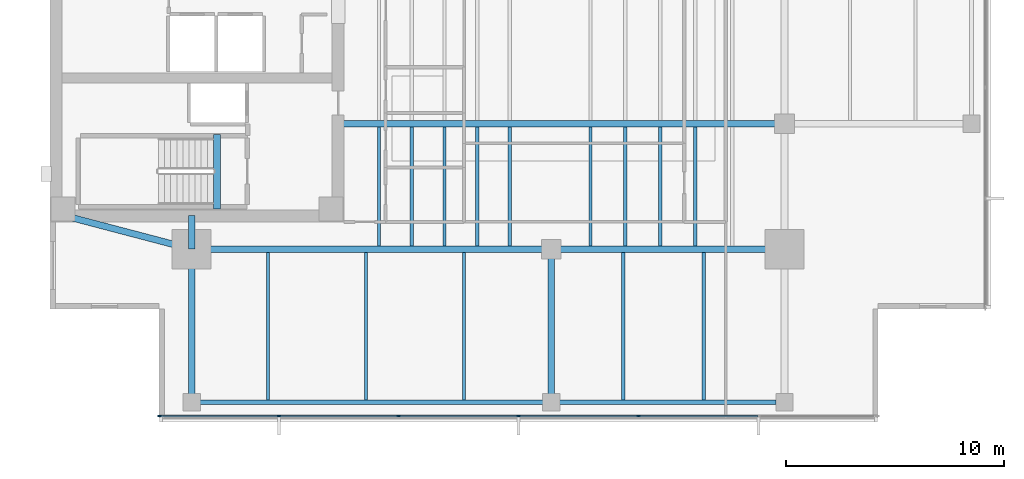
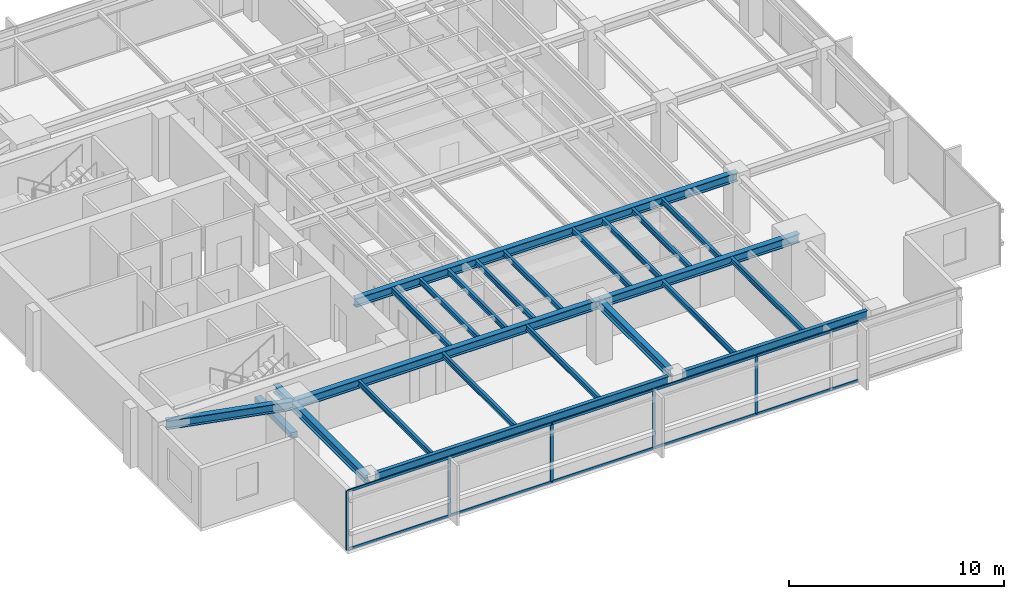
# One storey, part 2 of 14: 24 beams, 15 members, 1 element without a shape of its own.
"""IFC4 building model written with IfcOpenShell, lengths in metres."""

from ifc_helpers import new_model, si_unit, direction, frame, origin, origin_2d, place, context, subcontext, project, spatial, rectangle, i_section, extrude, material, layer, layer_set, material_profile, profile_set, type_object, element, aggregate, save


model = new_model("IFC4")

# Units and contexts
model_context = context("Model", 3, precision=1e-05, world=origin(), true_north=direction((0.0, 1.0)))
body_context = subcontext(model_context, "Body", "Model", "MODEL_VIEW")
ifc_project = project(units=[si_unit("LENGTHUNIT", "METRE"), si_unit("AREAUNIT", "SQUARE_METRE"), si_unit("VOLUMEUNIT", "CUBIC_METRE"), si_unit("PLANEANGLEUNIT", "RADIAN"), si_unit("MASSUNIT", "GRAM", prefix="KILO")], contexts=[model_context])

# Site, building, storey
site_placement = place(None, origin())
site = spatial("IfcSite", under=ifc_project, at=site_placement, CompositionType="ELEMENT")
building_placement = place(site_placement, origin())
building = spatial("IfcBuilding", under=site, at=building_placement, Name="Kinhvarn Gate Tower", CompositionType="ELEMENT")
storey_placement = place(building_placement, frame((0.0, 0.0, 234.199951171875)))
storey = spatial("IfcBuildingStorey", under=building, at=storey_placement, Name="L62", CompositionType="ELEMENT", Elevation=234.199951171875)

# Beam
ifc_material_1 = material(Name="Concrete C50/60", Category="concrete")
ifc_material_profile_1 = material_profile(ifc_material_1, rectangle(XDim=0.340087890625, YDim=0.320068359375, at=origin_2d()), Name="RC 340x320")
ifc_profile_set_1 = profile_set([ifc_material_profile_1], Name="Concrete C50/60")
beam_type_1 = type_object("IfcBeamType", Name="BM-LND-500", PredefinedType="BEAM", material=ifc_profile_set_1)
beam_1_placement = place(storey_placement, frame((12.1650390625, 14.60009765625, -0.159912109375), z_axis=(0.0, 1.0, 0.0), x_axis=(-1.0, 0.0, 0.0)))
element("IfcBeam", 1, at=beam_1_placement, inside=storey, type_object=beam_type_1, Name="Stair ST1 Landing Nosing Beam (L62)", PredefinedType="BEAM", context=body_context, shape_type="SweptSolid", body=[
    extrude(rectangle(XDim=0.340087890625, YDim=0.320068359375, at=origin_2d()), origin(), (0.0, 0.0, 1.0), 3.39990234375),
])

# Curtain wall, members
ifc_material_2 = material(Name="Anodised aluminium AW-6063", Category="aluminium")
ifc_layer = layer(ifc_material_2, 0.179931640625)
ifc_layer_set = layer_set([ifc_layer], Name="Anodised aluminium AW-6063")
curtain_wall_type = type_object("IfcCurtainWallType", Name="CW-SYS-3", PredefinedType="NOTDEFINED", material=ifc_layer_set)
curtain_wall_placement = place(storey_placement, origin())
curtain_wall = element("IfcCurtainWall", 2, at=curtain_wall_placement, inside=storey, type_object=curtain_wall_type, Name="Curtain Wall CW3 (L62)", PredefinedType="NOTDEFINED")
ifc_material_profile_2 = material_profile(ifc_material_2, rectangle(XDim=0.06494140625, YDim=0.159912109375, at=origin_2d()), Name="ALU 65x160")
ifc_profile_set_2 = profile_set([ifc_material_profile_2], Name="Anodised aluminium AW-6063")
member_type_1 = type_object("IfcMemberType", Name="CW-MUL-160", PredefinedType="MULLION", material=ifc_profile_set_2)
member_1_placement = place(storey_placement, frame((9.532470703125, 5.090087890625, 0.0), z_axis=(0.0, 0.0, 1.0), x_axis=(0.0, 1.0, 0.0)))
member_1 = element("IfcMember", 3, at=member_1_placement, type_object=member_type_1, Name="CW3 mullion 1", PredefinedType="MULLION", context=body_context, shape_type="SweptSolid", body=[
    extrude(rectangle(XDim=0.06494140625, YDim=0.159912109375, at=origin_2d()), origin(), (0.0, 0.0, 1.0), 3.3701171875),
])
member_2_placement = place(storey_placement, frame((15.0, 5.090087890625, 0.0), z_axis=(0.0, 0.0, 1.0), x_axis=(0.0, 1.0, 0.0)))
member_2 = element("IfcMember", 4, at=member_2_placement, type_object=member_type_1, Name="CW3 mullion 2", PredefinedType="MULLION", context=body_context, shape_type="SweptSolid", body=[
    extrude(rectangle(XDim=0.06494140625, YDim=0.159912109375, at=origin_2d()), origin(), (0.0, 0.0, 1.0), 3.3701171875),
])
member_3_placement = place(storey_placement, frame((20.5, 5.090087890625, 0.0), z_axis=(0.0, 0.0, 1.0), x_axis=(0.0, 1.0, 0.0)))
member_3 = element("IfcMember", 5, at=member_3_placement, type_object=member_type_1, Name="CW3 mullion 3", PredefinedType="MULLION", context=body_context, shape_type="SweptSolid", body=[
    extrude(rectangle(XDim=0.06494140625, YDim=0.159912109375, at=origin_2d()), origin(), (0.0, 0.0, 1.0), 3.3701171875),
])
member_4_placement = place(storey_placement, frame((26.0, 5.090087890625, 0.0), z_axis=(0.0, 0.0, 1.0), x_axis=(0.0, 1.0, 0.0)))
member_4 = element("IfcMember", 6, at=member_4_placement, type_object=member_type_1, Name="CW3 mullion 4", PredefinedType="MULLION", context=body_context, shape_type="SweptSolid", body=[
    extrude(rectangle(XDim=0.06494140625, YDim=0.159912109375, at=origin_2d()), origin(), (0.0, 0.0, 1.0), 3.3701171875),
])
member_5_placement = place(storey_placement, frame((31.5, 5.090087890625, 0.0), z_axis=(0.0, 0.0, 1.0), x_axis=(0.0, 1.0, 0.0)))
member_5 = element("IfcMember", 7, at=member_5_placement, type_object=member_type_1, Name="CW3 mullion 5", PredefinedType="MULLION", context=body_context, shape_type="SweptSolid", body=[
    extrude(rectangle(XDim=0.06494140625, YDim=0.159912109375, at=origin_2d()), origin(), (0.0, 0.0, 1.0), 3.3701171875),
])
ifc_material_profile_3 = material_profile(ifc_material_2, rectangle(XDim=0.070068359375, YDim=0.139892578125, at=origin_2d()), Name="ALU 70x140")
ifc_profile_set_3 = profile_set([ifc_material_profile_3], Name="Anodised aluminium AW-6063")
member_type_2 = type_object("IfcMemberType", Name="CW-TRN-140", PredefinedType="USERDEFINED", material=ifc_profile_set_3)
member_6_placement = place(storey_placement, frame((9.56494140625, 5.090087890625, 0.03515625), z_axis=(1.0, 0.0, 0.0), x_axis=(0.0, 1.0, 0.0)))
member_6 = element("IfcMember", 8, at=member_6_placement, type_object=member_type_2, Name="CW3 transom 1.1", ObjectType="TRANSOM", PredefinedType="USERDEFINED", context=body_context, shape_type="SweptSolid", body=[
    extrude(rectangle(XDim=0.070068359375, YDim=0.139892578125, at=origin_2d()), origin(), (0.0, 0.0, 1.0), 5.402587890625),
])
member_7_placement = place(storey_placement, frame((9.56494140625, 5.090087890625, 3.3349609375), z_axis=(1.0, 0.0, 0.0), x_axis=(0.0, 1.0, 0.0)))
member_7 = element("IfcMember", 9, at=member_7_placement, type_object=member_type_2, Name="CW3 transom 1.2", ObjectType="TRANSOM", PredefinedType="USERDEFINED", context=body_context, shape_type="SweptSolid", body=[
    extrude(rectangle(XDim=0.070068359375, YDim=0.139892578125, at=origin_2d()), origin(), (0.0, 0.0, 1.0), 5.402587890625),
])
member_8_placement = place(storey_placement, frame((15.032470703125, 5.090087890625, 0.03515625), z_axis=(1.0, 0.0, 0.0), x_axis=(0.0, 1.0, 0.0)))
member_8 = element("IfcMember", 10, at=member_8_placement, type_object=member_type_2, Name="CW3 transom 2.1", ObjectType="TRANSOM", PredefinedType="USERDEFINED", context=body_context, shape_type="SweptSolid", body=[
    extrude(rectangle(XDim=0.070068359375, YDim=0.139892578125, at=origin_2d()), origin(), (0.0, 0.0, 1.0), 5.43505859375),
])
member_9_placement = place(storey_placement, frame((15.032470703125, 5.090087890625, 3.3349609375), z_axis=(1.0, 0.0, 0.0), x_axis=(0.0, 1.0, 0.0)))
member_9 = element("IfcMember", 11, at=member_9_placement, type_object=member_type_2, Name="CW3 transom 2.2", ObjectType="TRANSOM", PredefinedType="USERDEFINED", context=body_context, shape_type="SweptSolid", body=[
    extrude(rectangle(XDim=0.070068359375, YDim=0.139892578125, at=origin_2d()), origin(), (0.0, 0.0, 1.0), 5.43505859375),
])
member_10_placement = place(storey_placement, frame((20.532470703125, 5.090087890625, 0.03515625), z_axis=(1.0, 0.0, 0.0), x_axis=(0.0, 1.0, 0.0)))
member_10 = element("IfcMember", 12, at=member_10_placement, type_object=member_type_2, Name="CW3 transom 3.1", ObjectType="TRANSOM", PredefinedType="USERDEFINED", context=body_context, shape_type="SweptSolid", body=[
    extrude(rectangle(XDim=0.070068359375, YDim=0.139892578125, at=origin_2d()), origin(), (0.0, 0.0, 1.0), 5.43505859375),
])
member_11_placement = place(storey_placement, frame((20.532470703125, 5.090087890625, 3.3349609375), z_axis=(1.0, 0.0, 0.0), x_axis=(0.0, 1.0, 0.0)))
member_11 = element("IfcMember", 13, at=member_11_placement, type_object=member_type_2, Name="CW3 transom 3.2", ObjectType="TRANSOM", PredefinedType="USERDEFINED", context=body_context, shape_type="SweptSolid", body=[
    extrude(rectangle(XDim=0.070068359375, YDim=0.139892578125, at=origin_2d()), origin(), (0.0, 0.0, 1.0), 5.43505859375),
])
member_12_placement = place(storey_placement, frame((26.032470703125, 5.090087890625, 0.03515625), z_axis=(1.0, 0.0, 0.0), x_axis=(0.0, 1.0, 0.0)))
member_12 = element("IfcMember", 14, at=member_12_placement, type_object=member_type_2, Name="CW3 transom 4.1", ObjectType="TRANSOM", PredefinedType="USERDEFINED", context=body_context, shape_type="SweptSolid", body=[
    extrude(rectangle(XDim=0.070068359375, YDim=0.139892578125, at=origin_2d()), origin(), (0.0, 0.0, 1.0), 5.43505859375),
])
member_13_placement = place(storey_placement, frame((26.032470703125, 5.090087890625, 3.3349609375), z_axis=(1.0, 0.0, 0.0), x_axis=(0.0, 1.0, 0.0)))
member_13 = element("IfcMember", 15, at=member_13_placement, type_object=member_type_2, Name="CW3 transom 4.2", ObjectType="TRANSOM", PredefinedType="USERDEFINED", context=body_context, shape_type="SweptSolid", body=[
    extrude(rectangle(XDim=0.070068359375, YDim=0.139892578125, at=origin_2d()), origin(), (0.0, 0.0, 1.0), 5.43505859375),
])
member_14_placement = place(storey_placement, frame((31.532470703125, 5.090087890625, 0.03515625), z_axis=(1.0, 0.0, 0.0), x_axis=(0.0, 1.0, 0.0)))
member_14 = element("IfcMember", 16, at=member_14_placement, type_object=member_type_2, Name="CW3 transom 5.1", ObjectType="TRANSOM", PredefinedType="USERDEFINED", context=body_context, shape_type="SweptSolid", body=[
    extrude(rectangle(XDim=0.070068359375, YDim=0.139892578125, at=origin_2d()), origin(), (0.0, 0.0, 1.0), 5.43505859375),
])
member_15_placement = place(storey_placement, frame((31.532470703125, 5.090087890625, 3.3349609375), z_axis=(1.0, 0.0, 0.0), x_axis=(0.0, 1.0, 0.0)))
member_15 = element("IfcMember", 17, at=member_15_placement, type_object=member_type_2, Name="CW3 transom 5.2", ObjectType="TRANSOM", PredefinedType="USERDEFINED", context=body_context, shape_type="SweptSolid", body=[
    extrude(rectangle(XDim=0.070068359375, YDim=0.139892578125, at=origin_2d()), origin(), (0.0, 0.0, 1.0), 5.43505859375),
])
aggregate(curtain_wall, [member_1, member_2, member_3, member_4, member_5, member_6, member_7, member_8, member_9, member_10, member_11, member_12, member_13, member_14, member_15])

# Beams
ifc_material_3 = material(Name="Steel S355", Category="steel")
ifc_material_profile_4 = material_profile(ifc_material_3, i_section(OverallWidth=0.300048828125, OverallDepth=0.449951171875, WebThickness=0.013916015625, FlangeThickness=0.02587890625, at=origin_2d()), Name="HEB 450")
ifc_profile_set_4 = profile_set([ifc_material_profile_4], Name="Steel S355")
beam_type_2 = type_object("IfcBeamType", Name="STL-HEB450", PredefinedType="BEAM", material=ifc_profile_set_4)
beam_2_placement = place(storey_placement, frame((11.0, 5.719970703125, 3.14501953125), z_axis=(0.0, 1.0, 0.0), x_axis=(-1.0, 0.0, 0.0)))
element("IfcBeam", 18, at=beam_2_placement, inside=storey, type_object=beam_type_2, Name="Floor Beam PG-13 (L62 MCW-S)", PredefinedType="BEAM", context=body_context, shape_type="SweptSolid", body=[
    extrude(i_section(OverallWidth=0.300048828125, OverallDepth=0.449951171875, WebThickness=0.013916015625, FlangeThickness=0.02587890625, at=origin_2d()), origin(), (0.0, 0.0, 1.0), 7.030029296875),
])
beam_3_placement = place(storey_placement, frame((11.0, 12.75, 3.14501953125), z_axis=(0.0, 1.0, 0.0), x_axis=(-1.0, 0.0, 0.0)))
element("IfcBeam", 19, at=beam_3_placement, inside=storey, type_object=beam_type_2, Name="Floor Beam PG-13 (L62 MCW-CS)", PredefinedType="BEAM", context=body_context, shape_type="SweptSolid", body=[
    extrude(i_section(OverallWidth=0.300048828125, OverallDepth=0.449951171875, WebThickness=0.013916015625, FlangeThickness=0.02587890625, at=origin_2d()), origin(), (0.0, 0.0, 1.0), 1.550048828125),
])
beam_4_placement = place(storey_placement, frame((27.5, 6.10498046875, 3.14501953125), z_axis=(0.0, 1.0, 0.0), x_axis=(-1.0, 0.0, 0.0)))
element("IfcBeam", 20, at=beam_4_placement, inside=storey, type_object=beam_type_2, Name="Floor Beam PG-13 (L62 SP27-S-TIE)", PredefinedType="BEAM", context=body_context, shape_type="SweptSolid", body=[
    extrude(i_section(OverallWidth=0.300048828125, OverallDepth=0.449951171875, WebThickness=0.013916015625, FlangeThickness=0.02587890625, at=origin_2d()), origin(), (0.0, 0.0, 1.0), 6.64501953125),
])
ifc_material_profile_5 = material_profile(ifc_material_3, i_section(OverallWidth=0.300048828125, OverallDepth=0.5, WebThickness=0.014404296875, FlangeThickness=0.028076171875, at=origin_2d()), Name="HEB 500")
ifc_profile_set_5 = profile_set([ifc_material_profile_5], Name="Steel S355")
beam_type_3 = type_object("IfcBeamType", Name="STL-HEB500", PredefinedType="BEAM", material=ifc_profile_set_5)
beam_5_placement = place(storey_placement, frame((11.0, 12.75, 3.1201171875), z_axis=(1.0, 0.0, 0.0), x_axis=(0.0, 1.0, 0.0)))
element("IfcBeam", 21, at=beam_5_placement, inside=storey, type_object=beam_type_3, Name="Floor Beam PG-14 (L62 MG-S1)", PredefinedType="BEAM", context=body_context, shape_type="SweptSolid", body=[
    extrude(i_section(OverallWidth=0.300048828125, OverallDepth=0.5, WebThickness=0.014404296875, FlangeThickness=0.028076171875, at=origin_2d()), origin(), (0.0, 0.0, 1.0), 16.5),
])
beam_6_placement = place(storey_placement, frame((27.5, 12.75, 3.1201171875), z_axis=(1.0, 0.0, 0.0), x_axis=(0.0, 1.0, 0.0)))
element("IfcBeam", 22, at=beam_6_placement, inside=storey, type_object=beam_type_3, Name="Floor Beam PG-14 (L62 MG-S2)", PredefinedType="BEAM", context=body_context, shape_type="SweptSolid", body=[
    extrude(i_section(OverallWidth=0.300048828125, OverallDepth=0.5, WebThickness=0.014404296875, FlangeThickness=0.028076171875, at=origin_2d()), origin(), (0.0, 0.0, 1.0), 10.699951171875),
])
beam_7_placement = place(storey_placement, frame((5.10009765625, 14.300048828125, 3.1201171875), z_axis=(0.967177623957, -0.254101246979, 0.0), x_axis=(0.254101246979, 0.967177623957, 0.0)))
element("IfcBeam", 23, at=beam_7_placement, inside=storey, type_object=beam_type_3, Name="Floor Beam PG-14 (L62 MG-SW-DIAG)", PredefinedType="BEAM", context=body_context, shape_type="SweptSolid", body=[
    extrude(i_section(OverallWidth=0.300048828125, OverallDepth=0.5, WebThickness=0.014404296875, FlangeThickness=0.028076171875, at=origin_2d()), origin(), (0.0, 0.0, 1.0), 6.10009765625),
])
beam_8_placement = place(storey_placement, frame((17.64990234375, 18.5, 3.1201171875), z_axis=(1.0, 0.0, 0.0), x_axis=(0.0, 1.0, 0.0)))
element("IfcBeam", 24, at=beam_8_placement, inside=storey, type_object=beam_type_3, Name="Floor Beam PG-14 (L62 EW1-Y18)", PredefinedType="BEAM", context=body_context, shape_type="SweptSolid", body=[
    extrude(i_section(OverallWidth=0.300048828125, OverallDepth=0.5, WebThickness=0.014404296875, FlangeThickness=0.028076171875, at=origin_2d()), origin(), (0.0, 0.0, 1.0), 20.550048828125),
])
ifc_material_profile_6 = material_profile(ifc_material_3, i_section(OverallWidth=0.14990234375, OverallDepth=0.300048828125, WebThickness=0.007080078125, FlangeThickness=0.0107421875, at=origin_2d()), Name="IPE 300")
ifc_profile_set_6 = profile_set([ifc_material_profile_6], Name="Steel S355")
beam_type_4 = type_object("IfcBeamType", Name="STL-IPE300", PredefinedType="JOIST", material=ifc_profile_set_6)
for number, where, z_axis, x_axis, name in (
    (25, (19.60009765625, 12.89990234375, 3.219970703125), (0.0, 1.0, 0.0), (-1.0, 0.0, 0.0), "Floor Joist SB-02 (L62 JC-X196-0)"),
    (26, (21.10009765625, 12.89990234375, 3.219970703125), (0.0, 1.0, 0.0), (-1.0, 0.0, 0.0), "Floor Joist SB-02 (L62 JC-X211-0)"),
    (27, (22.60009765625, 12.89990234375, 3.219970703125), (0.0, 1.0, 0.0), (-1.0, 0.0, 0.0), "Floor Joist SB-02 (L62 JC-X226-0)"),
    (28, (24.10009765625, 12.89990234375, 3.219970703125), (0.0, 1.0, 0.0), (-1.0, 0.0, 0.0), "Floor Joist SB-02 (L62 JC-X241-0)"),
    (29, (25.60009765625, 12.89990234375, 3.219970703125), (0.0, 1.0, 0.0), (-1.0, 0.0, 0.0), "Floor Joist SB-02 (L62 JC-X256-0)"),
    (30, (29.300048828125, 12.89990234375, 3.219970703125), (0.0, 1.0, 0.0), (-1.0, 0.0, 0.0), "Floor Joist SB-02 (L62 JC-X293-0)"),
    (31, (30.89990234375, 12.89990234375, 3.219970703125), (0.0, 1.0, 0.0), (-1.0, 0.0, 0.0), "Floor Joist SB-02 (L62 JC-X309-0)"),
    (32, (32.5, 12.89990234375, 3.219970703125), (0.0, 1.0, 0.0), (-1.0, 0.0, 0.0), "Floor Joist SB-02 (L62 JC-X325-0)"),
    (33, (34.10009765625, 12.89990234375, 3.219970703125), (0.0, 1.0, 0.0), (-1.0, 0.0, 0.0), "Floor Joist SB-02 (L62 JC-X341-0)"),
):
    element("IfcBeam", number, at=place(storey_placement, frame(where, z_axis=z_axis, x_axis=x_axis)), inside=storey, type_object=beam_type_4, Name=name, PredefinedType="JOIST", context=body_context, shape_type="SweptSolid", body=[
        extrude(i_section(OverallWidth=0.14990234375, OverallDepth=0.300048828125, WebThickness=0.007080078125, FlangeThickness=0.0107421875, at=origin_2d()), origin(), (0.0, 0.0, 1.0), 5.4501953125),
    ])
for number, where, z_axis, x_axis, name in (
    (34, (14.5, 5.820068359375, 3.219970703125), (0.0, 1.0, 0.0), (-1.0, 0.0, 0.0), "Floor Joist SB-02 (L62 JS-X145)"),
    (35, (19.0, 5.820068359375, 3.219970703125), (0.0, 1.0, 0.0), (-1.0, 0.0, 0.0), "Floor Joist SB-02 (L62 JS-X190)"),
    (36, (23.5, 5.820068359375, 3.219970703125), (0.0, 1.0, 0.0), (-1.0, 0.0, 0.0), "Floor Joist SB-02 (L62 JS-X235)"),
    (37, (30.800048828125, 5.820068359375, 3.219970703125), (0.0, 1.0, 0.0), (-1.0, 0.0, 0.0), "Floor Joist SB-02 (L62 JS-X308)"),
    (38, (34.5, 5.820068359375, 3.219970703125), (0.0, 1.0, 0.0), (-1.0, 0.0, 0.0), "Floor Joist SB-02 (L62 JS-X345)"),
):
    element("IfcBeam", number, at=place(storey_placement, frame(where, z_axis=z_axis, x_axis=x_axis)), inside=storey, type_object=beam_type_4, Name=name, PredefinedType="JOIST", context=body_context, shape_type="SweptSolid", body=[
        extrude(i_section(OverallWidth=0.14990234375, OverallDepth=0.300048828125, WebThickness=0.007080078125, FlangeThickness=0.0107421875, at=origin_2d()), origin(), (0.0, 0.0, 1.0), 6.780029296875),
    ])
ifc_material_profile_7 = material_profile(ifc_material_3, i_section(OverallWidth=0.199951171875, OverallDepth=0.5, WebThickness=0.01025390625, FlangeThickness=0.01611328125, at=origin_2d()), Name="IPE 500")
ifc_profile_set_7 = profile_set([ifc_material_profile_7], Name="Steel S355")
beam_type_5 = type_object("IfcBeamType", Name="STL-IPE500", PredefinedType="SPANDREL", material=ifc_profile_set_7)
beam_9_placement = place(storey_placement, frame((11.385009765625, 5.719970703125, 3.1201171875), z_axis=(1.0, 0.0, 0.0), x_axis=(0.0, 1.0, 0.0)))
element("IfcBeam", 39, at=beam_9_placement, inside=storey, type_object=beam_type_5, Name="Floor Spandrel SB-07 (L62 SP-S1)", PredefinedType="SPANDREL", context=body_context, shape_type="SweptSolid", body=[
    extrude(i_section(OverallWidth=0.199951171875, OverallDepth=0.5, WebThickness=0.01025390625, FlangeThickness=0.01611328125, at=origin_2d()), origin(), (0.0, 0.0, 1.0), 15.72998046875),
])
beam_10_placement = place(storey_placement, frame((27.885009765625, 5.719970703125, 3.1201171875), z_axis=(1.0, 0.0, 0.0), x_axis=(0.0, 1.0, 0.0)))
element("IfcBeam", 40, at=beam_10_placement, inside=storey, type_object=beam_type_5, Name="Floor Spandrel SB-07 (L62 SP-S2)", PredefinedType="SPANDREL", context=body_context, shape_type="SweptSolid", body=[
    extrude(i_section(OverallWidth=0.199951171875, OverallDepth=0.5, WebThickness=0.01025390625, FlangeThickness=0.01611328125, at=origin_2d()), origin(), (0.0, 0.0, 1.0), 9.929931640625),
])

save(model, "model.ifc")
